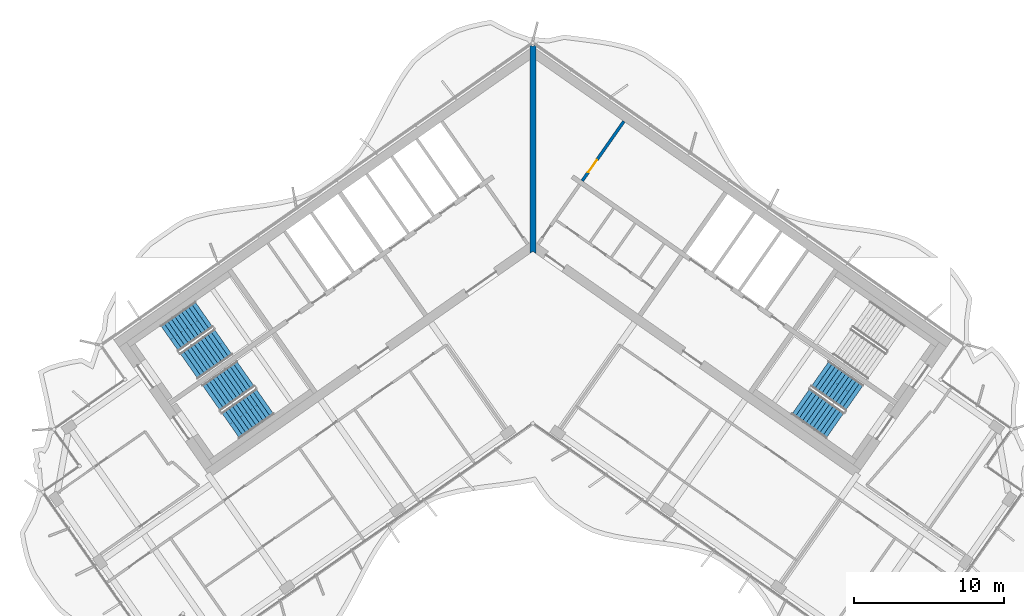
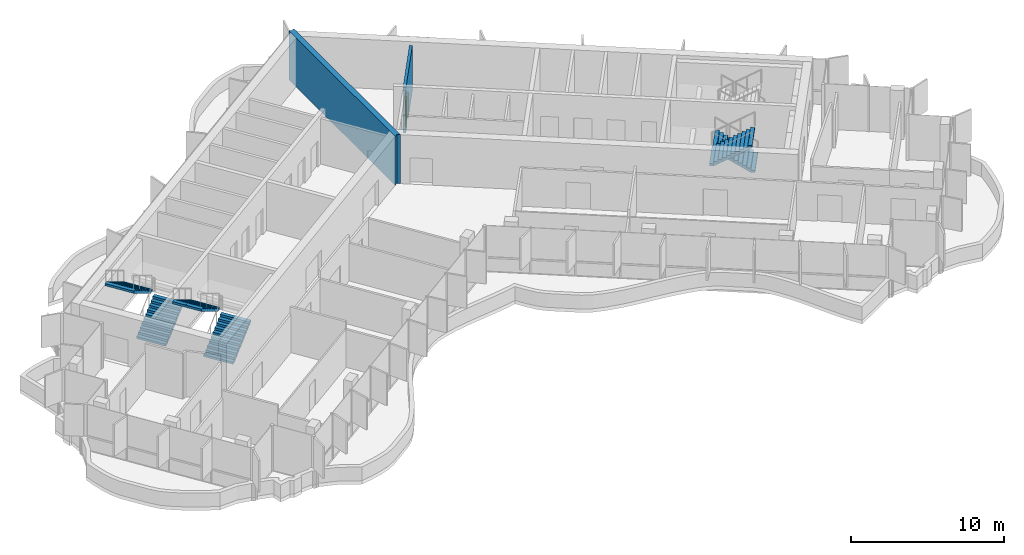
# One storey, part 14 of 20: 6 stair flights, 2 walls, 1 door, 1 opening, 3 elements without a shape of their own.
"""IFC4 building model written with IfcOpenShell, lengths in metres."""

from ifc_helpers import new_model, si_unit, direction, frame, frame_2d, origin, place, context, subcontext, project, spatial, polyline, rectangle, outline, extrude, material, layer, layer_set, type_object, element, fill, aggregate, save


model = new_model("IFC4")

# Units and contexts
model_context = context("Model", 3, precision=1e-05, world=origin(), true_north=direction((0.0, 1.0)))
body_context = subcontext(model_context, "Body", "Model", "MODEL_VIEW")
ifc_project = project(units=[si_unit("LENGTHUNIT", "METRE"), si_unit("AREAUNIT", "SQUARE_METRE"), si_unit("VOLUMEUNIT", "CUBIC_METRE"), si_unit("PLANEANGLEUNIT", "RADIAN"), si_unit("MASSUNIT", "GRAM", prefix="KILO")], contexts=[model_context])

# Site, building, storey
site_placement = place(None, origin())
site = spatial("IfcSite", under=ifc_project, at=site_placement, CompositionType="ELEMENT")
building_placement = place(site_placement, origin())
building = spatial("IfcBuilding", under=site, at=building_placement, Name="Tel Ilan Convention Tower", CompositionType="ELEMENT")
storey_placement = place(building_placement, frame((0.0, 0.0, 237.10009765625)))
storey = spatial("IfcBuildingStorey", under=building, at=storey_placement, Name="L55", CompositionType="ELEMENT", Elevation=237.10009765625)

# Wall, opening, door
ifc_material_1 = material(Name="Concrete C30/37", Category="concrete")
ifc_layer_1 = layer(ifc_material_1, 0.199951171875)
ifc_layer_set_1 = layer_set([ifc_layer_1], Name="Core Service Room Wall 200 mm C30/37")
wall_type_1 = type_object("IfcWallType", Name="Core Service Room Wall 200 mm C30/37", PredefinedType="SOLIDWALL", material=ifc_layer_set_1)
wall_1_placement = place(storey_placement, frame((3.2978515625, 3.489501953125, 0.0), z_axis=(0.0, 0.0, 1.0), x_axis=(0.573560315113, 0.819163332265, 0.0)))
wall_1 = element("IfcWall", 1, at=wall_1_placement, inside=storey, type_object=wall_type_1, Name="L55 core wall apex-E-b", PredefinedType="SOLIDWALL", context=body_context, shape_type="SweptSolid", body=[
    extrude(rectangle(XDim=4.849853515625, YDim=0.199951171875, at=frame_2d((2.4248046875, 0.0))), origin(), (0.0, 0.0, 1.0), 3.619873046875),
])
opening_placement = place(wall_1_placement, frame((0.699951171875, 0.0, 0.0)))
opening = element("IfcOpeningElement", 2, at=opening_placement, cuts=wall_1, Name="Opening CD4203", PredefinedType="OPENING", context=body_context, shape_type="SweptSolid", body=[
    extrude(rectangle(XDim=1.0, YDim=2.10009765625, at=frame_2d((0.5, 1.050048828125))), frame((0.0, 0.10986328125, 0.0), z_axis=(0.0, -1.0, 0.0), x_axis=(1.0, 0.0, 0.0)), (0.0, 0.0, 1.0), 0.219970703125),
])
ifc_material_2 = material(Name="Galvanised Steel Door Leaf", Category="steel")
door_type = type_object("IfcDoorType", Name="Service Room Door 1000 x 2100 FD60", OperationType="NOTDEFINED", PredefinedType="DOOR", material=ifc_material_2)
door_placement = place(opening_placement, origin())
door = element("IfcDoor", 3, at=door_placement, inside=storey, type_object=door_type, Name="Plant Room door", OperationType="SINGLE_SWING_RIGHT", OverallHeight=2.10009765625, OverallWidth=1.0, PredefinedType="DOOR", context=body_context, shape_type="SweptSolid", body=[
    extrude(rectangle(XDim=1.0, YDim=2.10009765625, at=frame_2d((0.5, 1.050048828125))), frame((0.0, 0.02490234375, 0.0), z_axis=(0.0, -1.0, 0.0), x_axis=(1.0, 0.0, 0.0)), (0.0, 0.0, 1.0), 0.050048828125),
])
fill(opening, door)

# Wall
ifc_material_3 = material(Name="Concrete C40/50", Category="concrete")
ifc_layer_2 = layer(ifc_material_3, 0.39990234375)
ifc_layer_set_2 = layer_set([ifc_layer_2], Name="Core Shear Wall 400 mm C40/50")
wall_type_2 = type_object("IfcWallType", Name="Core Shear Wall 400 mm C40/50", PredefinedType="SHEAR", material=ifc_layer_set_2)
wall_2_placement = place(storey_placement, frame((0.0, -1.36083984375, 0.0), z_axis=(0.0, 0.0, 1.0), x_axis=(0.0, 1.0, 0.0)))
element("IfcWall", 4, at=wall_2_placement, inside=storey, type_object=wall_type_2, Name="L55 core wall K-central", PredefinedType="SHEAR", context=body_context, shape_type="SweptSolid", body=[
    extrude(outline(polyline([(0.14013671875, 0.199951171875), (0.0, 0.199951171875), (0.14013671875, 0.0), (0.0, -0.199951171875), (0.14013671875, -0.199951171875), (1.012451171875, -0.199951171875), (12.940185546875, -0.199951171875), (13.812744140625, -0.199951171875), (13.893310546875, -0.199951171875), (13.933349609375, -0.172119140625), (13.812744140625, 0.0), (13.933349609375, 0.172119140625), (13.893310546875, 0.199951171875), (13.812744140625, 0.199951171875), (12.940185546875, 0.199951171875), (1.012451171875, 0.199951171875), (0.14013671875, 0.199951171875)])), origin(), (0.0, 0.0, 1.0), 3.89990234375),
])

# Stair, stair flights
ifc_material_4 = material(Name="Concrete C40/50", Category="concrete")
stair_type = type_object("IfcStairType", Name="Pressurised Exit Stair 22 risers 177 mm", PredefinedType="HALF_TURN_STAIR", material=ifc_material_4)
stair_1_placement = place(storey_placement, origin())
stair_1 = element("IfcStair", 5, at=stair_1_placement, inside=storey, type_object=stair_type, Name="L55 Pressurised Stair S1", PredefinedType="HALF_TURN_STAIR")
ifc_material_5 = material(Name="Precast Concrete C40/50", Category="concrete")
stair_flight_type = type_object("IfcStairFlightType", Name="Concrete Stair Flight 2100 mm 22 risers 177 mm", PredefinedType="STRAIGHT", material=ifc_material_5)
stair_flight_1_placement = place(storey_placement, frame((-22.9619140625, -8.87548828125, 0.0), z_axis=(0.0, 0.0, 1.0), x_axis=(0.819152044289, 0.573576436351, 0.0)))
stair_flight_1 = element("IfcStairFlight", 6, at=stair_flight_1_placement, type_object=stair_flight_type, Name="S1 flight 1", NumberOfRisers=11, NumberOfTreads=10, PredefinedType="STRAIGHT", RiserHeight=0.177272727, TreadLength=0.28, context=body_context, shape_type="SweptSolid", body=[
    extrude(outline(polyline([(0.0, 0.0), (0.0, 0.17724609375), (0.280029296875, 0.17724609375), (0.280029296875, 0.3544921875), (0.56005859375, 0.3544921875), (0.56005859375, 0.53173828125), (0.840087890625, 0.53173828125), (0.840087890625, 0.708984375), (1.1201171875, 0.708984375), (1.1201171875, 0.886474609375), (1.39990234375, 0.886474609375), (1.39990234375, 1.063720703125), (1.679931640625, 1.063720703125), (1.679931640625, 1.240966796875), (1.9599609375, 1.240966796875), (1.9599609375, 1.418212890625), (2.239990234375, 1.418212890625), (2.239990234375, 1.595458984375), (2.52001953125, 1.595458984375), (2.52001953125, 1.772705078125), (2.800048828125, 1.772705078125), (2.800048828125, 1.949951171875), (2.800048828125, 1.59521484375), (0.2802734375, 0.0), (0.0, 0.0)])), frame((0.0, -0.100341796875, 0.0), z_axis=(0.0, -1.0, 0.0), x_axis=(1.0, 0.0, 0.0)), (0.0, 0.0, 1.0), 0.94970703125),
    extrude(outline(polyline([(0.0, 0.0), (0.0, 0.17724609375), (0.280029296875, 0.17724609375), (0.280029296875, 0.3544921875), (0.56005859375, 0.3544921875), (0.56005859375, 0.53173828125), (0.840087890625, 0.53173828125), (0.840087890625, 0.708984375), (1.1201171875, 0.708984375), (1.1201171875, 0.886474609375), (1.39990234375, 0.886474609375), (1.39990234375, 1.063720703125), (1.679931640625, 1.063720703125), (1.679931640625, 1.240966796875), (1.9599609375, 1.240966796875), (1.9599609375, 1.418212890625), (2.239990234375, 1.418212890625), (2.239990234375, 1.595458984375), (2.52001953125, 1.595458984375), (2.52001953125, 1.772705078125), (2.800048828125, 1.772705078125), (2.800048828125, 1.949951171875), (2.800048828125, 1.59521484375), (0.2802734375, 0.0), (0.0, 0.0)])), frame((0.0, -0.000244140625, 0.0), z_axis=(0.0, -1.0, 0.0), x_axis=(1.0, 0.0, 0.0)), (0.0, 0.0, 1.0), 0.099609375),
    extrude(outline(polyline([(0.0, 0.0), (0.0, 0.17724609375), (0.280029296875, 0.17724609375), (0.280029296875, 0.3544921875), (0.56005859375, 0.3544921875), (0.56005859375, 0.53173828125), (0.840087890625, 0.53173828125), (0.840087890625, 0.708984375), (1.1201171875, 0.708984375), (1.1201171875, 0.886474609375), (1.39990234375, 0.886474609375), (1.39990234375, 1.063720703125), (1.679931640625, 1.063720703125), (1.679931640625, 1.240966796875), (1.9599609375, 1.240966796875), (1.9599609375, 1.418212890625), (2.239990234375, 1.418212890625), (2.239990234375, 1.595458984375), (2.52001953125, 1.595458984375), (2.52001953125, 1.772705078125), (2.800048828125, 1.772705078125), (2.800048828125, 1.949951171875), (2.800048828125, 1.59521484375), (0.2802734375, 0.0), (0.0, 0.0)])), frame((0.0, 0.099853515625, 0.0), z_axis=(0.0, -1.0, 0.0), x_axis=(1.0, 0.0, 0.0)), (0.0, 0.0, 1.0), 0.099609375),
    extrude(outline(polyline([(0.0, 0.0), (0.0, 0.17724609375), (0.280029296875, 0.17724609375), (0.280029296875, 0.3544921875), (0.56005859375, 0.3544921875), (0.56005859375, 0.53173828125), (0.840087890625, 0.53173828125), (0.840087890625, 0.708984375), (1.1201171875, 0.708984375), (1.1201171875, 0.886474609375), (1.39990234375, 0.886474609375), (1.39990234375, 1.063720703125), (1.679931640625, 1.063720703125), (1.679931640625, 1.240966796875), (1.9599609375, 1.240966796875), (1.9599609375, 1.418212890625), (2.239990234375, 1.418212890625), (2.239990234375, 1.595458984375), (2.52001953125, 1.595458984375), (2.52001953125, 1.772705078125), (2.800048828125, 1.772705078125), (2.800048828125, 1.949951171875), (2.800048828125, 1.59521484375), (0.2802734375, 0.0), (0.0, 0.0)])), frame((0.0, 1.050048828125, 0.0), z_axis=(0.0, -1.0, 0.0), x_axis=(1.0, 0.0, 0.0)), (0.0, 0.0, 1.0), 0.94970703125),
])
stair_flight_2_placement = place(storey_placement, frame((-21.958740234375, -5.42626953125, 1.949951171875), z_axis=(0.0, 0.0, 1.0), x_axis=(-0.819152044289, -0.573576436351, 0.0)))
stair_flight_2 = element("IfcStairFlight", 7, at=stair_flight_2_placement, type_object=stair_flight_type, Name="S1 flight 2", NumberOfRisers=11, NumberOfTreads=10, PredefinedType="STRAIGHT", RiserHeight=0.177272727, TreadLength=0.28, context=body_context, shape_type="SweptSolid", body=[
    extrude(outline(polyline([(0.0, 0.0), (0.0, 0.17724609375), (0.280029296875, 0.17724609375), (0.280029296875, 0.3544921875), (0.56005859375, 0.3544921875), (0.56005859375, 0.53173828125), (0.840087890625, 0.53173828125), (0.840087890625, 0.708984375), (1.1201171875, 0.708984375), (1.1201171875, 0.886474609375), (1.39990234375, 0.886474609375), (1.39990234375, 1.063720703125), (1.679931640625, 1.063720703125), (1.679931640625, 1.240966796875), (1.9599609375, 1.240966796875), (1.9599609375, 1.418212890625), (2.239990234375, 1.418212890625), (2.239990234375, 1.595458984375), (2.52001953125, 1.595458984375), (2.52001953125, 1.772705078125), (2.800048828125, 1.772705078125), (2.800048828125, 1.949951171875), (2.800048828125, 1.59521484375), (0.2802734375, 0.0), (0.0, 0.0)])), frame((0.0, -0.100341796875, 0.0), z_axis=(0.0, -1.0, 0.0), x_axis=(1.0, 0.0, 0.0)), (0.0, 0.0, 1.0), 0.94970703125),
    extrude(outline(polyline([(0.0, 0.0), (0.0, 0.17724609375), (0.280029296875, 0.17724609375), (0.280029296875, 0.3544921875), (0.56005859375, 0.3544921875), (0.56005859375, 0.53173828125), (0.840087890625, 0.53173828125), (0.840087890625, 0.708984375), (1.1201171875, 0.708984375), (1.1201171875, 0.886474609375), (1.39990234375, 0.886474609375), (1.39990234375, 1.063720703125), (1.679931640625, 1.063720703125), (1.679931640625, 1.240966796875), (1.9599609375, 1.240966796875), (1.9599609375, 1.418212890625), (2.239990234375, 1.418212890625), (2.239990234375, 1.595458984375), (2.52001953125, 1.595458984375), (2.52001953125, 1.772705078125), (2.800048828125, 1.772705078125), (2.800048828125, 1.949951171875), (2.800048828125, 1.59521484375), (0.2802734375, 0.0), (0.0, 0.0)])), frame((0.0, -0.000244140625, 0.0), z_axis=(0.0, -1.0, 0.0), x_axis=(1.0, 0.0, 0.0)), (0.0, 0.0, 1.0), 0.099609375),
    extrude(outline(polyline([(0.0, 0.0), (0.0, 0.17724609375), (0.280029296875, 0.17724609375), (0.280029296875, 0.3544921875), (0.56005859375, 0.3544921875), (0.56005859375, 0.53173828125), (0.840087890625, 0.53173828125), (0.840087890625, 0.708984375), (1.1201171875, 0.708984375), (1.1201171875, 0.886474609375), (1.39990234375, 0.886474609375), (1.39990234375, 1.063720703125), (1.679931640625, 1.063720703125), (1.679931640625, 1.240966796875), (1.9599609375, 1.240966796875), (1.9599609375, 1.418212890625), (2.239990234375, 1.418212890625), (2.239990234375, 1.595458984375), (2.52001953125, 1.595458984375), (2.52001953125, 1.772705078125), (2.800048828125, 1.772705078125), (2.800048828125, 1.949951171875), (2.800048828125, 1.59521484375), (0.2802734375, 0.0), (0.0, 0.0)])), frame((0.0, 0.099853515625, 0.0), z_axis=(0.0, -1.0, 0.0), x_axis=(1.0, 0.0, 0.0)), (0.0, 0.0, 1.0), 0.099609375),
    extrude(outline(polyline([(0.0, 0.0), (0.0, 0.17724609375), (0.280029296875, 0.17724609375), (0.280029296875, 0.3544921875), (0.56005859375, 0.3544921875), (0.56005859375, 0.53173828125), (0.840087890625, 0.53173828125), (0.840087890625, 0.708984375), (1.1201171875, 0.708984375), (1.1201171875, 0.886474609375), (1.39990234375, 0.886474609375), (1.39990234375, 1.063720703125), (1.679931640625, 1.063720703125), (1.679931640625, 1.240966796875), (1.9599609375, 1.240966796875), (1.9599609375, 1.418212890625), (2.239990234375, 1.418212890625), (2.239990234375, 1.595458984375), (2.52001953125, 1.595458984375), (2.52001953125, 1.772705078125), (2.800048828125, 1.772705078125), (2.800048828125, 1.949951171875), (2.800048828125, 1.59521484375), (0.2802734375, 0.0), (0.0, 0.0)])), frame((0.0, 1.050048828125, 0.0), z_axis=(0.0, -1.0, 0.0), x_axis=(1.0, 0.0, 0.0)), (0.0, 0.0, 1.0), 0.94970703125),
])
aggregate(stair_1, [stair_flight_1, stair_flight_2])

stair_2_placement = place(storey_placement, origin())
stair_2 = element("IfcStair", 8, at=stair_2_placement, inside=storey, type_object=stair_type, Name="L55 Pressurised Stair S2", PredefinedType="HALF_TURN_STAIR")
stair_flight_3_placement = place(storey_placement, frame((-20.179931640625, -12.848388671875, 0.0), z_axis=(0.0, 0.0, 1.0), x_axis=(0.819152044289, 0.573576436351, 0.0)))
stair_flight_3 = element("IfcStairFlight", 9, at=stair_flight_3_placement, type_object=stair_flight_type, Name="S2 flight 1", NumberOfRisers=11, NumberOfTreads=10, PredefinedType="STRAIGHT", RiserHeight=0.177272727, TreadLength=0.28, context=body_context, shape_type="SweptSolid", body=[
    extrude(outline(polyline([(0.0, 0.0), (0.0, 0.17724609375), (0.280029296875, 0.17724609375), (0.280029296875, 0.3544921875), (0.56005859375, 0.3544921875), (0.56005859375, 0.53173828125), (0.840087890625, 0.53173828125), (0.840087890625, 0.708984375), (1.1201171875, 0.708984375), (1.1201171875, 0.886474609375), (1.39990234375, 0.886474609375), (1.39990234375, 1.063720703125), (1.679931640625, 1.063720703125), (1.679931640625, 1.240966796875), (1.9599609375, 1.240966796875), (1.9599609375, 1.418212890625), (2.239990234375, 1.418212890625), (2.239990234375, 1.595458984375), (2.52001953125, 1.595458984375), (2.52001953125, 1.772705078125), (2.800048828125, 1.772705078125), (2.800048828125, 1.949951171875), (2.800048828125, 1.59521484375), (0.2802734375, 0.0), (0.0, 0.0)])), frame((0.0, -0.100341796875, 0.0), z_axis=(0.0, -1.0, 0.0), x_axis=(1.0, 0.0, 0.0)), (0.0, 0.0, 1.0), 0.94970703125),
    extrude(outline(polyline([(0.0, 0.0), (0.0, 0.17724609375), (0.280029296875, 0.17724609375), (0.280029296875, 0.3544921875), (0.56005859375, 0.3544921875), (0.56005859375, 0.53173828125), (0.840087890625, 0.53173828125), (0.840087890625, 0.708984375), (1.1201171875, 0.708984375), (1.1201171875, 0.886474609375), (1.39990234375, 0.886474609375), (1.39990234375, 1.063720703125), (1.679931640625, 1.063720703125), (1.679931640625, 1.240966796875), (1.9599609375, 1.240966796875), (1.9599609375, 1.418212890625), (2.239990234375, 1.418212890625), (2.239990234375, 1.595458984375), (2.52001953125, 1.595458984375), (2.52001953125, 1.772705078125), (2.800048828125, 1.772705078125), (2.800048828125, 1.949951171875), (2.800048828125, 1.59521484375), (0.2802734375, 0.0), (0.0, 0.0)])), frame((0.0, -0.000244140625, 0.0), z_axis=(0.0, -1.0, 0.0), x_axis=(1.0, 0.0, 0.0)), (0.0, 0.0, 1.0), 0.099609375),
    extrude(outline(polyline([(0.0, 0.0), (0.0, 0.17724609375), (0.280029296875, 0.17724609375), (0.280029296875, 0.3544921875), (0.56005859375, 0.3544921875), (0.56005859375, 0.53173828125), (0.840087890625, 0.53173828125), (0.840087890625, 0.708984375), (1.1201171875, 0.708984375), (1.1201171875, 0.886474609375), (1.39990234375, 0.886474609375), (1.39990234375, 1.063720703125), (1.679931640625, 1.063720703125), (1.679931640625, 1.240966796875), (1.9599609375, 1.240966796875), (1.9599609375, 1.418212890625), (2.239990234375, 1.418212890625), (2.239990234375, 1.595458984375), (2.52001953125, 1.595458984375), (2.52001953125, 1.772705078125), (2.800048828125, 1.772705078125), (2.800048828125, 1.949951171875), (2.800048828125, 1.59521484375), (0.2802734375, 0.0), (0.0, 0.0)])), frame((0.0, 0.099853515625, 0.0), z_axis=(0.0, -1.0, 0.0), x_axis=(1.0, 0.0, 0.0)), (0.0, 0.0, 1.0), 0.099609375),
    extrude(outline(polyline([(0.0, 0.0), (0.0, 0.17724609375), (0.280029296875, 0.17724609375), (0.280029296875, 0.3544921875), (0.56005859375, 0.3544921875), (0.56005859375, 0.53173828125), (0.840087890625, 0.53173828125), (0.840087890625, 0.708984375), (1.1201171875, 0.708984375), (1.1201171875, 0.886474609375), (1.39990234375, 0.886474609375), (1.39990234375, 1.063720703125), (1.679931640625, 1.063720703125), (1.679931640625, 1.240966796875), (1.9599609375, 1.240966796875), (1.9599609375, 1.418212890625), (2.239990234375, 1.418212890625), (2.239990234375, 1.595458984375), (2.52001953125, 1.595458984375), (2.52001953125, 1.772705078125), (2.800048828125, 1.772705078125), (2.800048828125, 1.949951171875), (2.800048828125, 1.59521484375), (0.2802734375, 0.0), (0.0, 0.0)])), frame((0.0, 1.050048828125, 0.0), z_axis=(0.0, -1.0, 0.0), x_axis=(1.0, 0.0, 0.0)), (0.0, 0.0, 1.0), 0.94970703125),
])
stair_flight_4_placement = place(storey_placement, frame((-19.177001953125, -9.399169921875, 1.949951171875), z_axis=(0.0, 0.0, 1.0), x_axis=(-0.819152044289, -0.573576436351, 0.0)))
stair_flight_4 = element("IfcStairFlight", 10, at=stair_flight_4_placement, type_object=stair_flight_type, Name="S2 flight 2", NumberOfRisers=11, NumberOfTreads=10, PredefinedType="STRAIGHT", RiserHeight=0.177272727, TreadLength=0.28, context=body_context, shape_type="SweptSolid", body=[
    extrude(outline(polyline([(0.0, 0.0), (0.0, 0.17724609375), (0.280029296875, 0.17724609375), (0.280029296875, 0.3544921875), (0.56005859375, 0.3544921875), (0.56005859375, 0.53173828125), (0.840087890625, 0.53173828125), (0.840087890625, 0.708984375), (1.1201171875, 0.708984375), (1.1201171875, 0.886474609375), (1.39990234375, 0.886474609375), (1.39990234375, 1.063720703125), (1.679931640625, 1.063720703125), (1.679931640625, 1.240966796875), (1.9599609375, 1.240966796875), (1.9599609375, 1.418212890625), (2.239990234375, 1.418212890625), (2.239990234375, 1.595458984375), (2.52001953125, 1.595458984375), (2.52001953125, 1.772705078125), (2.800048828125, 1.772705078125), (2.800048828125, 1.949951171875), (2.800048828125, 1.59521484375), (0.2802734375, 0.0), (0.0, 0.0)])), frame((0.0, -0.100341796875, 0.0), z_axis=(0.0, -1.0, 0.0), x_axis=(1.0, 0.0, 0.0)), (0.0, 0.0, 1.0), 0.94970703125),
    extrude(outline(polyline([(0.0, 0.0), (0.0, 0.17724609375), (0.280029296875, 0.17724609375), (0.280029296875, 0.3544921875), (0.56005859375, 0.3544921875), (0.56005859375, 0.53173828125), (0.840087890625, 0.53173828125), (0.840087890625, 0.708984375), (1.1201171875, 0.708984375), (1.1201171875, 0.886474609375), (1.39990234375, 0.886474609375), (1.39990234375, 1.063720703125), (1.679931640625, 1.063720703125), (1.679931640625, 1.240966796875), (1.9599609375, 1.240966796875), (1.9599609375, 1.418212890625), (2.239990234375, 1.418212890625), (2.239990234375, 1.595458984375), (2.52001953125, 1.595458984375), (2.52001953125, 1.772705078125), (2.800048828125, 1.772705078125), (2.800048828125, 1.949951171875), (2.800048828125, 1.59521484375), (0.2802734375, 0.0), (0.0, 0.0)])), frame((0.0, -0.000244140625, 0.0), z_axis=(0.0, -1.0, 0.0), x_axis=(1.0, 0.0, 0.0)), (0.0, 0.0, 1.0), 0.099609375),
    extrude(outline(polyline([(0.0, 0.0), (0.0, 0.17724609375), (0.280029296875, 0.17724609375), (0.280029296875, 0.3544921875), (0.56005859375, 0.3544921875), (0.56005859375, 0.53173828125), (0.840087890625, 0.53173828125), (0.840087890625, 0.708984375), (1.1201171875, 0.708984375), (1.1201171875, 0.886474609375), (1.39990234375, 0.886474609375), (1.39990234375, 1.063720703125), (1.679931640625, 1.063720703125), (1.679931640625, 1.240966796875), (1.9599609375, 1.240966796875), (1.9599609375, 1.418212890625), (2.239990234375, 1.418212890625), (2.239990234375, 1.595458984375), (2.52001953125, 1.595458984375), (2.52001953125, 1.772705078125), (2.800048828125, 1.772705078125), (2.800048828125, 1.949951171875), (2.800048828125, 1.59521484375), (0.2802734375, 0.0), (0.0, 0.0)])), frame((0.0, 0.099853515625, 0.0), z_axis=(0.0, -1.0, 0.0), x_axis=(1.0, 0.0, 0.0)), (0.0, 0.0, 1.0), 0.099609375),
    extrude(outline(polyline([(0.0, 0.0), (0.0, 0.17724609375), (0.280029296875, 0.17724609375), (0.280029296875, 0.3544921875), (0.56005859375, 0.3544921875), (0.56005859375, 0.53173828125), (0.840087890625, 0.53173828125), (0.840087890625, 0.708984375), (1.1201171875, 0.708984375), (1.1201171875, 0.886474609375), (1.39990234375, 0.886474609375), (1.39990234375, 1.063720703125), (1.679931640625, 1.063720703125), (1.679931640625, 1.240966796875), (1.9599609375, 1.240966796875), (1.9599609375, 1.418212890625), (2.239990234375, 1.418212890625), (2.239990234375, 1.595458984375), (2.52001953125, 1.595458984375), (2.52001953125, 1.772705078125), (2.800048828125, 1.772705078125), (2.800048828125, 1.949951171875), (2.800048828125, 1.59521484375), (0.2802734375, 0.0), (0.0, 0.0)])), frame((0.0, 1.050048828125, 0.0), z_axis=(0.0, -1.0, 0.0), x_axis=(1.0, 0.0, 0.0)), (0.0, 0.0, 1.0), 0.94970703125),
])
aggregate(stair_2, [stair_flight_3, stair_flight_4])

stair_3_placement = place(storey_placement, origin())
stair_3 = element("IfcStair", 11, at=stair_3_placement, inside=storey, type_object=stair_type, Name="L55 Pressurised Stair S4", PredefinedType="HALF_TURN_STAIR")
stair_flight_5_placement = place(storey_placement, frame((21.470458984375, -11.00537109375, 0.0), z_axis=(0.0, 0.0, 1.0), x_axis=(-0.819152044289, 0.573576436351, 0.0)))
stair_flight_5 = element("IfcStairFlight", 12, at=stair_flight_5_placement, type_object=stair_flight_type, Name="S4 flight 1", NumberOfRisers=11, NumberOfTreads=10, PredefinedType="STRAIGHT", RiserHeight=0.177272727, TreadLength=0.28, context=body_context, shape_type="SweptSolid", body=[
    extrude(outline(polyline([(0.0, 0.0), (0.0, 0.17724609375), (0.280029296875, 0.17724609375), (0.280029296875, 0.3544921875), (0.56005859375, 0.3544921875), (0.56005859375, 0.53173828125), (0.840087890625, 0.53173828125), (0.840087890625, 0.708984375), (1.1201171875, 0.708984375), (1.1201171875, 0.886474609375), (1.39990234375, 0.886474609375), (1.39990234375, 1.063720703125), (1.679931640625, 1.063720703125), (1.679931640625, 1.240966796875), (1.9599609375, 1.240966796875), (1.9599609375, 1.418212890625), (2.239990234375, 1.418212890625), (2.239990234375, 1.595458984375), (2.52001953125, 1.595458984375), (2.52001953125, 1.772705078125), (2.800048828125, 1.772705078125), (2.800048828125, 1.949951171875), (2.800048828125, 1.59521484375), (0.2802734375, 0.0), (0.0, 0.0)])), frame((0.0, -0.100341796875, 0.0), z_axis=(0.0, -1.0, 0.0), x_axis=(1.0, 0.0, 0.0)), (0.0, 0.0, 1.0), 0.94970703125),
    extrude(outline(polyline([(0.0, 0.0), (0.0, 0.17724609375), (0.280029296875, 0.17724609375), (0.280029296875, 0.3544921875), (0.56005859375, 0.3544921875), (0.56005859375, 0.53173828125), (0.840087890625, 0.53173828125), (0.840087890625, 0.708984375), (1.1201171875, 0.708984375), (1.1201171875, 0.886474609375), (1.39990234375, 0.886474609375), (1.39990234375, 1.063720703125), (1.679931640625, 1.063720703125), (1.679931640625, 1.240966796875), (1.9599609375, 1.240966796875), (1.9599609375, 1.418212890625), (2.239990234375, 1.418212890625), (2.239990234375, 1.595458984375), (2.52001953125, 1.595458984375), (2.52001953125, 1.772705078125), (2.800048828125, 1.772705078125), (2.800048828125, 1.949951171875), (2.800048828125, 1.59521484375), (0.2802734375, 0.0), (0.0, 0.0)])), frame((0.0, -0.000244140625, 0.0), z_axis=(0.0, -1.0, 0.0), x_axis=(1.0, 0.0, 0.0)), (0.0, 0.0, 1.0), 0.099609375),
    extrude(outline(polyline([(0.0, 0.0), (0.0, 0.17724609375), (0.280029296875, 0.17724609375), (0.280029296875, 0.3544921875), (0.56005859375, 0.3544921875), (0.56005859375, 0.53173828125), (0.840087890625, 0.53173828125), (0.840087890625, 0.708984375), (1.1201171875, 0.708984375), (1.1201171875, 0.886474609375), (1.39990234375, 0.886474609375), (1.39990234375, 1.063720703125), (1.679931640625, 1.063720703125), (1.679931640625, 1.240966796875), (1.9599609375, 1.240966796875), (1.9599609375, 1.418212890625), (2.239990234375, 1.418212890625), (2.239990234375, 1.595458984375), (2.52001953125, 1.595458984375), (2.52001953125, 1.772705078125), (2.800048828125, 1.772705078125), (2.800048828125, 1.949951171875), (2.800048828125, 1.59521484375), (0.2802734375, 0.0), (0.0, 0.0)])), frame((0.0, 0.099853515625, 0.0), z_axis=(0.0, -1.0, 0.0), x_axis=(1.0, 0.0, 0.0)), (0.0, 0.0, 1.0), 0.099609375),
    extrude(outline(polyline([(0.0, 0.0), (0.0, 0.17724609375), (0.280029296875, 0.17724609375), (0.280029296875, 0.3544921875), (0.56005859375, 0.3544921875), (0.56005859375, 0.53173828125), (0.840087890625, 0.53173828125), (0.840087890625, 0.708984375), (1.1201171875, 0.708984375), (1.1201171875, 0.886474609375), (1.39990234375, 0.886474609375), (1.39990234375, 1.063720703125), (1.679931640625, 1.063720703125), (1.679931640625, 1.240966796875), (1.9599609375, 1.240966796875), (1.9599609375, 1.418212890625), (2.239990234375, 1.418212890625), (2.239990234375, 1.595458984375), (2.52001953125, 1.595458984375), (2.52001953125, 1.772705078125), (2.800048828125, 1.772705078125), (2.800048828125, 1.949951171875), (2.800048828125, 1.59521484375), (0.2802734375, 0.0), (0.0, 0.0)])), frame((0.0, 1.050048828125, 0.0), z_axis=(0.0, -1.0, 0.0), x_axis=(1.0, 0.0, 0.0)), (0.0, 0.0, 1.0), 0.94970703125),
])
stair_flight_6_placement = place(storey_placement, frame((17.886474609375, -11.242431640625, 1.949951171875), z_axis=(0.0, 0.0, 1.0), x_axis=(0.819152044289, -0.573576436351, 0.0)))
stair_flight_6 = element("IfcStairFlight", 13, at=stair_flight_6_placement, type_object=stair_flight_type, Name="S4 flight 2", NumberOfRisers=11, NumberOfTreads=10, PredefinedType="STRAIGHT", RiserHeight=0.177272727, TreadLength=0.28, context=body_context, shape_type="SweptSolid", body=[
    extrude(outline(polyline([(0.0, 0.0), (0.0, 0.17724609375), (0.280029296875, 0.17724609375), (0.280029296875, 0.3544921875), (0.56005859375, 0.3544921875), (0.56005859375, 0.53173828125), (0.840087890625, 0.53173828125), (0.840087890625, 0.708984375), (1.1201171875, 0.708984375), (1.1201171875, 0.886474609375), (1.39990234375, 0.886474609375), (1.39990234375, 1.063720703125), (1.679931640625, 1.063720703125), (1.679931640625, 1.240966796875), (1.9599609375, 1.240966796875), (1.9599609375, 1.418212890625), (2.239990234375, 1.418212890625), (2.239990234375, 1.595458984375), (2.52001953125, 1.595458984375), (2.52001953125, 1.772705078125), (2.800048828125, 1.772705078125), (2.800048828125, 1.949951171875), (2.800048828125, 1.59521484375), (0.2802734375, 0.0), (0.0, 0.0)])), frame((0.0, -0.100341796875, 0.0), z_axis=(0.0, -1.0, 0.0), x_axis=(1.0, 0.0, 0.0)), (0.0, 0.0, 1.0), 0.94970703125),
    extrude(outline(polyline([(0.0, 0.0), (0.0, 0.17724609375), (0.280029296875, 0.17724609375), (0.280029296875, 0.3544921875), (0.56005859375, 0.3544921875), (0.56005859375, 0.53173828125), (0.840087890625, 0.53173828125), (0.840087890625, 0.708984375), (1.1201171875, 0.708984375), (1.1201171875, 0.886474609375), (1.39990234375, 0.886474609375), (1.39990234375, 1.063720703125), (1.679931640625, 1.063720703125), (1.679931640625, 1.240966796875), (1.9599609375, 1.240966796875), (1.9599609375, 1.418212890625), (2.239990234375, 1.418212890625), (2.239990234375, 1.595458984375), (2.52001953125, 1.595458984375), (2.52001953125, 1.772705078125), (2.800048828125, 1.772705078125), (2.800048828125, 1.949951171875), (2.800048828125, 1.59521484375), (0.2802734375, 0.0), (0.0, 0.0)])), frame((0.0, -0.000244140625, 0.0), z_axis=(0.0, -1.0, 0.0), x_axis=(1.0, 0.0, 0.0)), (0.0, 0.0, 1.0), 0.099609375),
    extrude(outline(polyline([(0.0, 0.0), (0.0, 0.17724609375), (0.280029296875, 0.17724609375), (0.280029296875, 0.3544921875), (0.56005859375, 0.3544921875), (0.56005859375, 0.53173828125), (0.840087890625, 0.53173828125), (0.840087890625, 0.708984375), (1.1201171875, 0.708984375), (1.1201171875, 0.886474609375), (1.39990234375, 0.886474609375), (1.39990234375, 1.063720703125), (1.679931640625, 1.063720703125), (1.679931640625, 1.240966796875), (1.9599609375, 1.240966796875), (1.9599609375, 1.418212890625), (2.239990234375, 1.418212890625), (2.239990234375, 1.595458984375), (2.52001953125, 1.595458984375), (2.52001953125, 1.772705078125), (2.800048828125, 1.772705078125), (2.800048828125, 1.949951171875), (2.800048828125, 1.59521484375), (0.2802734375, 0.0), (0.0, 0.0)])), frame((0.0, 0.099853515625, 0.0), z_axis=(0.0, -1.0, 0.0), x_axis=(1.0, 0.0, 0.0)), (0.0, 0.0, 1.0), 0.099609375),
    extrude(outline(polyline([(0.0, 0.0), (0.0, 0.17724609375), (0.280029296875, 0.17724609375), (0.280029296875, 0.3544921875), (0.56005859375, 0.3544921875), (0.56005859375, 0.53173828125), (0.840087890625, 0.53173828125), (0.840087890625, 0.708984375), (1.1201171875, 0.708984375), (1.1201171875, 0.886474609375), (1.39990234375, 0.886474609375), (1.39990234375, 1.063720703125), (1.679931640625, 1.063720703125), (1.679931640625, 1.240966796875), (1.9599609375, 1.240966796875), (1.9599609375, 1.418212890625), (2.239990234375, 1.418212890625), (2.239990234375, 1.595458984375), (2.52001953125, 1.595458984375), (2.52001953125, 1.772705078125), (2.800048828125, 1.772705078125), (2.800048828125, 1.949951171875), (2.800048828125, 1.59521484375), (0.2802734375, 0.0), (0.0, 0.0)])), frame((0.0, 1.050048828125, 0.0), z_axis=(0.0, -1.0, 0.0), x_axis=(1.0, 0.0, 0.0)), (0.0, 0.0, 1.0), 0.94970703125),
])
aggregate(stair_3, [stair_flight_5, stair_flight_6])

save(model, "model.ifc")
